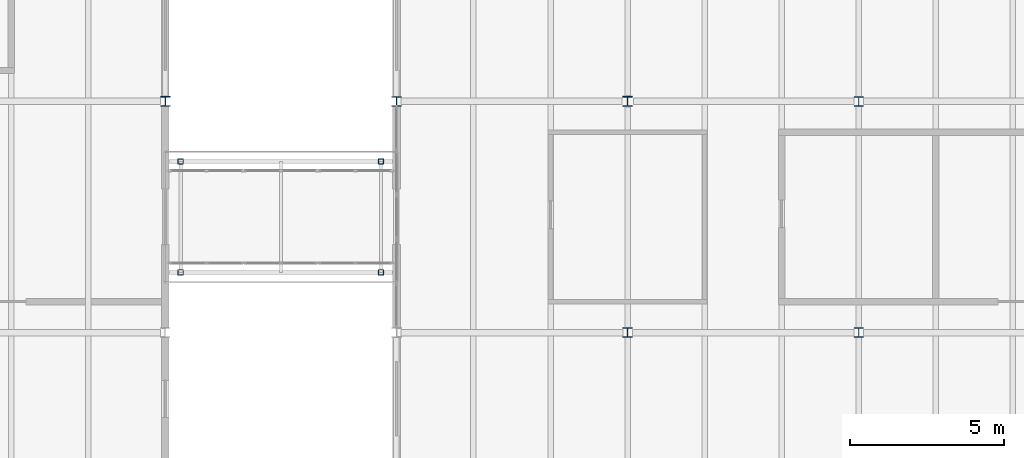
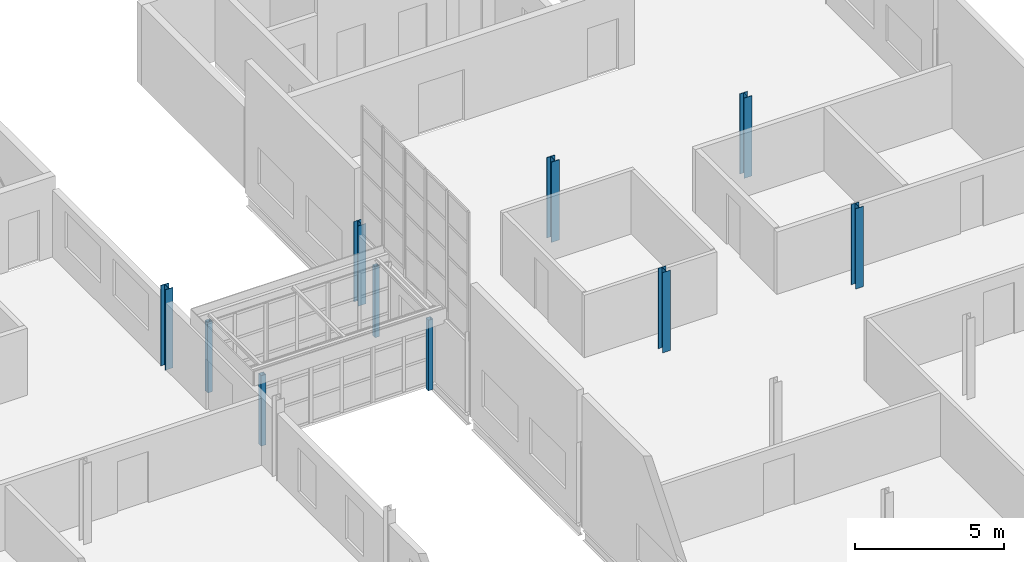
# One storey, part 14 of 198: 10 columns.
"""IFC4 building model written with IfcOpenShell, lengths in metres."""

from ifc_helpers import new_model, si_unit, direction, frame, origin, origin_2d, place, context, subcontext, project, spatial, hollow_rectangle, i_section, extrude, material, material_profile, profile_set, type_object, element, save


model = new_model("IFC4")

# Units and contexts
model_context = context("Model", 3, precision=1e-05, world=origin(), true_north=direction((0.0, 1.0)))
body_context = subcontext(model_context, "Body", "Model", "MODEL_VIEW")
ifc_project = project(units=[si_unit("LENGTHUNIT", "METRE"), si_unit("AREAUNIT", "SQUARE_METRE"), si_unit("VOLUMEUNIT", "CUBIC_METRE"), si_unit("PLANEANGLEUNIT", "RADIAN"), si_unit("MASSUNIT", "GRAM", prefix="KILO")], contexts=[model_context])

# Site, building, storey
site_placement = place(None, origin())
site = spatial("IfcSite", under=ifc_project, at=site_placement, CompositionType="ELEMENT")
building_placement = place(site_placement, origin())
building = spatial("IfcBuilding", under=site, at=building_placement, Name="Parallax Yard Mobility Hub", CompositionType="ELEMENT")
storey_placement = place(building_placement, frame((0.0, 0.0, 6.60009765625)))
storey = spatial("IfcBuildingStorey", under=building, at=storey_placement, Name="L02", CompositionType="ELEMENT", Elevation=6.60009765625)

# Columns
ifc_material_1 = material(Name="Steel ASTM A500 Gr C", Category="steel")
ifc_material_profile_1 = material_profile(ifc_material_1, hollow_rectangle(XDim=0.177734375, YDim=0.177734375, WallThickness=0.009521484375, at=origin_2d()), Name="HSS178x178x9.5")
ifc_profile_set_1 = profile_set([ifc_material_profile_1], Name="Steel ASTM A500 Gr C")
column_type_1 = type_object("IfcColumnType", Name="Roof column HSS178x178x9.5", PredefinedType="COLUMN", material=ifc_profile_set_1)
for number, where, z_axis, x_axis, name in (
    (1, (143.0, 31.949951171875, 0.0), (0.0, 0.0, 1.0), (1.0, 0.0, 0.0), "Bridge BR3 level L02 roof pier 1 at y 31.95 level L02"),
    (2, (149.5, 31.949951171875, 0.0), (0.0, 0.0, 1.0), (1.0, 0.0, 0.0), "Bridge BR3 level L02 roof pier 2 at y 31.95 level L02"),
    (3, (143.0, 35.550048828125, 0.0), (0.0, 0.0, 1.0), (1.0, 0.0, 0.0), "Bridge BR3 level L02 roof pier 1 at y 35.55 level L02"),
    (4, (149.5, 35.550048828125, 0.0), (0.0, 0.0, 1.0), (1.0, 0.0, 0.0), "Bridge BR3 level L02 roof pier 2 at y 35.55 level L02"),
):
    element("IfcColumn", number, at=place(storey_placement, frame(where, z_axis=z_axis, x_axis=x_axis)), inside=storey, type_object=column_type_1, Name=name, PredefinedType="COLUMN", context=body_context, shape_type="SweptSolid", body=[
        extrude(hollow_rectangle(XDim=0.177734375, YDim=0.177734375, WallThickness=0.009521484375, at=origin_2d()), origin(), (0.0, 0.0, 1.0), 2.89990234375),
    ])
ifc_material_2 = material(Name="Steel ASTM A992", Category="steel")
ifc_material_profile_2 = material_profile(ifc_material_2, i_section(OverallWidth=0.306884765625, OverallDepth=0.318115234375, WebThickness=0.01318359375, FlangeThickness=0.0205078125, FilletRadius=0.01513671875, at=origin_2d()), Name="W310x129")
ifc_profile_set_2 = profile_set([ifc_material_profile_2], Name="Steel ASTM A992")
column_type_2 = type_object("IfcColumnType", Name="W310x129 column", PredefinedType="COLUMN", material=ifc_profile_set_2)
column_1_placement = place(storey_placement, frame((142.5, 37.5, 0.0), z_axis=(0.0, 0.0, 1.0), x_axis=(1.0, 0.0, 0.0)))
element("IfcColumn", 5, at=column_1_placement, inside=storey, type_object=column_type_2, Name="Column C3 level L02 at F/20 of mobility service centre and workshops", PredefinedType="COLUMN", context=body_context, shape_type="SweptSolid", body=[
    extrude(i_section(OverallWidth=0.306884765625, OverallDepth=0.318115234375, WebThickness=0.01318359375, FlangeThickness=0.0205078125, FilletRadius=0.01513671875, at=origin_2d()), origin(), (0.0, 0.0, 1.0), 3.2998046875),
])
ifc_material_profile_3 = material_profile(ifc_material_2, i_section(OverallWidth=0.31005859375, OverallDepth=0.327880859375, WebThickness=0.015380859375, FlangeThickness=0.025146484375, FilletRadius=0.015380859375, at=origin_2d()), Name="W310x158")
ifc_profile_set_3 = profile_set([ifc_material_profile_3], Name="Steel ASTM A992")
column_type_3 = type_object("IfcColumnType", Name="W310x158 column", PredefinedType="COLUMN", material=ifc_profile_set_3)
column_2_placement = place(storey_placement, frame((157.5, 37.5, 0.0), z_axis=(0.0, 0.0, 1.0), x_axis=(1.0, 0.0, 0.0)))
element("IfcColumn", 6, at=column_2_placement, inside=storey, type_object=column_type_3, Name="Column C6 level L02 at F/22 of bicycle and shared-mobility hall", PredefinedType="COLUMN", context=body_context, shape_type="SweptSolid", body=[
    extrude(i_section(OverallWidth=0.31005859375, OverallDepth=0.327880859375, WebThickness=0.015380859375, FlangeThickness=0.025146484375, FilletRadius=0.015380859375, at=origin_2d()), origin(), (0.0, 0.0, 1.0), 3.2998046875),
])
ifc_material_profile_4 = material_profile(ifc_material_2, i_section(OverallWidth=0.304931640625, OverallDepth=0.306884765625, WebThickness=0.010009765625, FlangeThickness=0.015380859375, FilletRadius=0.01513671875, at=origin_2d()), Name="W310x97")
ifc_profile_set_4 = profile_set([ifc_material_profile_4], Name="Steel ASTM A992")
column_type_4 = type_object("IfcColumnType", Name="W310x97 column", PredefinedType="COLUMN", material=ifc_profile_set_4)
for number, where, z_axis, x_axis, name in (
    (7, (150.0, 37.5, 0.0), (0.0, 0.0, 1.0), (1.0, 0.0, 0.0), "Column C1 level L02 at F/21 of bicycle and shared-mobility hall"),
    (8, (157.5, 30.0, 0.0), (0.0, 0.0, 1.0), (1.0, 0.0, 0.0), "Column C1 level L02 at E/22 of bicycle and shared-mobility hall"),
    (9, (165.0, 30.0, 0.0), (0.0, 0.0, 1.0), (1.0, 0.0, 0.0), "Column C1 level L02 at E/23 of bicycle and shared-mobility hall"),
    (10, (165.0, 37.5, 0.0), (0.0, 0.0, 1.0), (1.0, 0.0, 0.0), "Column C1 level L02 at F/23 of bicycle and shared-mobility hall"),
):
    element("IfcColumn", number, at=place(storey_placement, frame(where, z_axis=z_axis, x_axis=x_axis)), inside=storey, type_object=column_type_4, Name=name, PredefinedType="COLUMN", context=body_context, shape_type="SweptSolid", body=[
        extrude(i_section(OverallWidth=0.304931640625, OverallDepth=0.306884765625, WebThickness=0.010009765625, FlangeThickness=0.015380859375, FilletRadius=0.01513671875, at=origin_2d()), origin(), (0.0, 0.0, 1.0), 3.2998046875),
    ])

save(model, "model.ifc")
